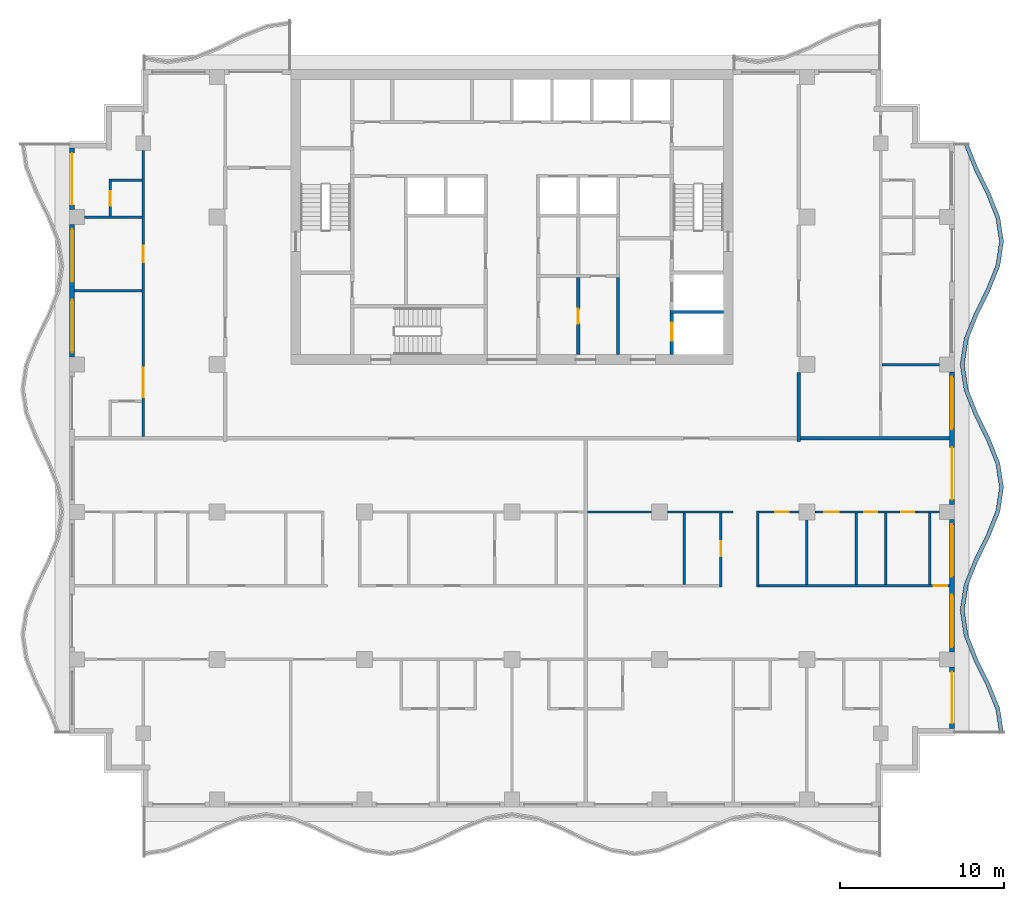
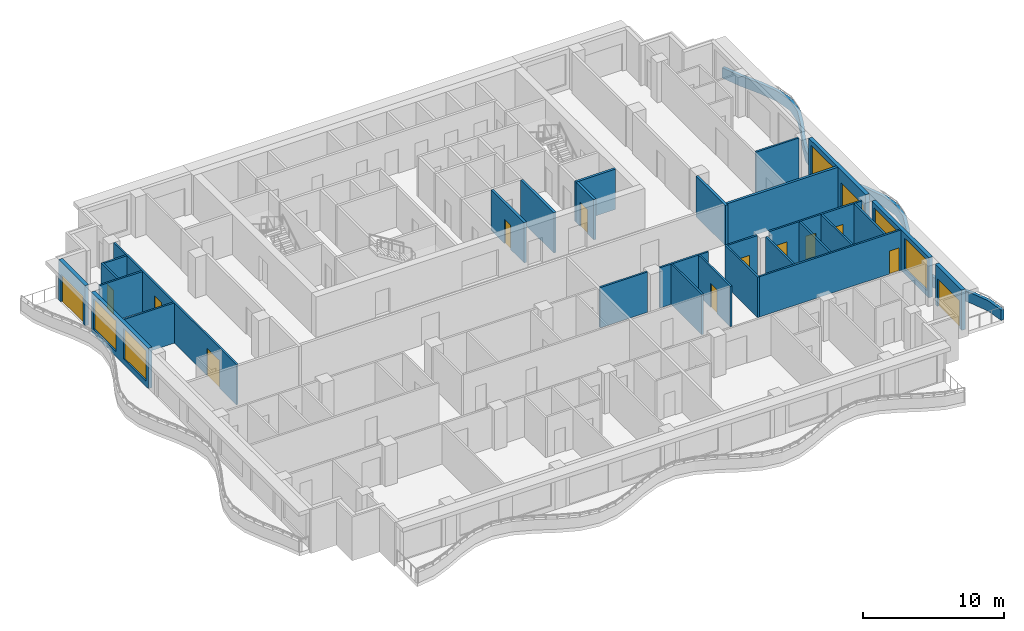
# One storey, part 4 of 11: 30 walls, 14 doors, 5 windows, 19 openings.
"""IFC4 building model written with IfcOpenShell, lengths in metres."""

from ifc_helpers import new_model, si_unit, direction, frame, frame_2d, origin, place, context, subcontext, project, spatial, polyline, rectangle, outline, extrude, material, layer, layer_set, type_object, element, fill, save


model = new_model("IFC4")

# Units and contexts
model_context = context("Model", 3, precision=1e-05, world=origin(), true_north=direction((0.0, 1.0)))
body_context = subcontext(model_context, "Body", "Model", "MODEL_VIEW")
ifc_project = project(units=[si_unit("LENGTHUNIT", "METRE"), si_unit("AREAUNIT", "SQUARE_METRE"), si_unit("VOLUMEUNIT", "CUBIC_METRE"), si_unit("PLANEANGLEUNIT", "RADIAN"), si_unit("MASSUNIT", "GRAM", prefix="KILO")], contexts=[model_context])

# Site, building, storey
site_placement = place(None, origin())
site = spatial("IfcSite", under=ifc_project, at=site_placement, CompositionType="ELEMENT")
building_placement = place(site_placement, origin())
building = spatial("IfcBuilding", under=site, at=building_placement, Name="Orbiselva Terraces", CompositionType="ELEMENT")
storey_placement = place(building_placement, frame((0.0, 0.0, 250.2)))
storey = spatial("IfcBuildingStorey", under=building, at=storey_placement, Name="L63", CompositionType="ELEMENT", Elevation=250.2)

# Wall, opening, door
ifc_material_1 = material(Name="Masonry blockwork", Category="masonry")
ifc_layer_1 = layer(ifc_material_1, 0.2)
ifc_layer_set_1 = layer_set([ifc_layer_1], Name="Masonry blockwork")
wall_type_1 = type_object("IfcWallType", Name="CORE-WALL-PARTITION-200", PredefinedType="PARTITIONING", material=ifc_layer_set_1)
wall_1_placement = place(storey_placement, frame((4.0375, 9.8, 0.0), z_axis=(0.0, 0.0, 1.0), x_axis=(0.0, -1.0, 0.0)))
wall_1 = element("IfcWall", 1, at=wall_1_placement, inside=storey, type_object=wall_type_1, Name="L63 core wall 29", PredefinedType="PARTITIONING", context=body_context, shape_type="SweptSolid", body=[
    extrude(rectangle(XDim=4.7, YDim=0.2, at=frame_2d((2.35, 0.0))), origin(), (0.0, 0.0, 1.0), 3.5),
])
opening_1_placement = place(wall_1_placement, frame((1.9, 0.0, 0.0)))
opening_1 = element("IfcOpeningElement", 2, at=opening_1_placement, cuts=wall_1, Name="Opening DR900", PredefinedType="OPENING", context=body_context, shape_type="SweptSolid", body=[
    extrude(rectangle(XDim=0.9, YDim=2.1, at=frame_2d((0.45, 1.05))), frame((0.0, 0.11, 0.0), z_axis=(0.0, -1.0, 0.0), x_axis=(1.0, 0.0, 0.0)), (0.0, 0.0, 1.0), 0.22),
])
ifc_material_2 = material(Name="Steel fire door", Category="steel")
door_type_1 = type_object("IfcDoorType", Name="ROOM DOOR 900", OperationType="NOTDEFINED", PredefinedType="DOOR", material=ifc_material_2)
door_1_placement = place(opening_1_placement, origin())
door_1 = element("IfcDoor", 3, at=door_1_placement, inside=storey, type_object=door_type_1, Name="L63 SPARE PARTS STORE door", OperationType="SINGLE_SWING_LEFT", OverallHeight=2.1, OverallWidth=0.9, PredefinedType="DOOR", context=body_context, shape_type="SweptSolid", body=[
    extrude(rectangle(XDim=0.9, YDim=2.1, at=frame_2d((0.45, 1.05))), frame((0.0, 0.025, 0.0), z_axis=(0.0, -1.0, 0.0), x_axis=(1.0, 0.0, 0.0)), (0.0, 0.0, 1.0), 0.05),
])
fill(opening_1, door_1)

# Wall
ifc_material_3 = material(Name="Concrete C60/75", Category="concrete")
ifc_layer_2 = layer(ifc_material_3, 0.2)
ifc_layer_set_2 = layer_set([ifc_layer_2], Name="Concrete C60/75")
wall_type_2 = type_object("IfcWallType", Name="CORE-WALL-SHEAR-200", PredefinedType="SHEAR", material=ifc_layer_set_2)
wall_2_placement = place(storey_placement, frame((6.475, 5.1, 0.0), z_axis=(0.0, 0.0, 1.0), x_axis=(0.0, 1.0, 0.0)))
element("IfcWall", 4, at=wall_2_placement, inside=storey, type_object=wall_type_2, Name="L63 core wall 33", PredefinedType="SHEAR", context=body_context, shape_type="SweptSolid", body=[
    extrude(rectangle(XDim=4.7, YDim=0.2, at=frame_2d((2.35, 0.0))), origin(), (0.0, 0.0, 1.0), 3.5),
])

# Wall, opening, door
wall_3_placement = place(storey_placement, frame((9.75, 5.1, 0.0), z_axis=(0.0, 0.0, 1.0), x_axis=(0.0, 1.0, 0.0)))
wall_3 = element("IfcWall", 5, at=wall_3_placement, inside=storey, type_object=wall_type_2, Name="L63 core wall 39", PredefinedType="SHEAR", context=body_context, shape_type="SweptSolid", body=[
    extrude(rectangle(XDim=2.5, YDim=0.2, at=frame_2d((1.25, 0.0))), origin(), (0.0, 0.0, 1.0), 3.5),
])
opening_2_placement = place(wall_3_placement, frame((0.85, 0.0, 0.0)))
opening_2 = element("IfcOpeningElement", 6, at=opening_2_placement, cuts=wall_3, Name="Opening LD-FF1", PredefinedType="OPENING", context=body_context, shape_type="SweptSolid", body=[
    extrude(rectangle(XDim=1.1, YDim=2.1, at=frame_2d((0.55, 1.05))), frame((0.0, 0.11, 0.0), z_axis=(0.0, -1.0, 0.0), x_axis=(1.0, 0.0, 0.0)), (0.0, 0.0, 1.0), 0.22),
])
ifc_material_4 = material(Name="Stainless steel landing door", Category="steel")
door_type_2 = type_object("IfcDoorType", Name="LANDING DOOR 1100", OperationType="SLIDING_TO_LEFT", PredefinedType="DOOR", material=ifc_material_4)
door_2_placement = place(opening_2_placement, origin())
door_2 = element("IfcDoor", 7, at=door_2_placement, inside=storey, type_object=door_type_2, Name="L63 landing door FF1", OperationType="SLIDING_TO_RIGHT", OverallHeight=2.1, OverallWidth=1.1, PredefinedType="DOOR", context=body_context, shape_type="SweptSolid", body=[
    extrude(rectangle(XDim=1.1, YDim=2.1, at=frame_2d((0.55, 1.05))), frame((0.0, 0.025, 0.0), z_axis=(0.0, -1.0, 0.0), x_axis=(1.0, 0.0, 0.0)), (0.0, 0.0, 1.0), 0.05),
])
fill(opening_2, door_2)

# Walls
wall_4_placement = place(storey_placement, frame((9.65, 7.7, 0.0), z_axis=(0.0, 0.0, 1.0), x_axis=(1.0, 0.0, 0.0)))
element("IfcWall", 8, at=wall_4_placement, inside=storey, type_object=wall_type_2, Name="L63 core wall 40", PredefinedType="SHEAR", context=body_context, shape_type="SweptSolid", body=[
    extrude(rectangle(XDim=3.25, YDim=0.2, at=frame_2d((1.625, 0.0))), origin(), (0.0, 0.0, 1.0), 3.5),
])
ifc_material_5 = material(Name="Concrete C40/50", Category="concrete")
ifc_layer_3 = layer(ifc_material_5, 0.25)
ifc_layer_set_3 = layer_set([ifc_layer_3], Name="Concrete C40/50")
wall_type_3 = type_object("IfcWallType", Name="ENV-PLANTER-250x900", PredefinedType="USERDEFINED", material=ifc_layer_set_3)
wall_5_placement = place(storey_placement, origin())
element("IfcWall", 9, at=wall_5_placement, inside=storey, type_object=wall_type_3, Name="Balcony planter L63 E", ObjectType="PLANTER", PredefinedType="USERDEFINED", context=body_context, shape_type="SweptSolid", body=[
    extrude(outline(polyline([(30.0, -18.0), (29.77082, -16.5), (29.17082, -15.0), (28.42918, -13.5), (27.82918, -12.0), (27.6, -10.5), (27.82918, -9.0), (28.42918, -7.5), (29.17082, -6.0), (29.77082, -4.5), (30.0, -3.0), (29.77082, -1.5), (29.17082, 0.0), (28.42918, 1.5), (27.82918, 3.0), (27.6, 4.5), (27.82918, 6.0), (28.42918, 7.5), (29.17082, 9.0), (29.77082, 10.5), (30.0, 12.0), (29.77082, 13.5), (29.17082, 15.0), (28.42918, 16.5), (27.82918, 18.0), (27.597061, 17.907152), (28.200715, 16.398017), (28.942355, 14.898017), (29.528028, 13.433834), (29.747099, 12.0), (29.528028, 10.566166), (28.942355, 9.101983), (28.200715, 7.601983), (27.586388, 6.066166), (27.347099, 4.5), (27.586388, 2.933834), (28.200715, 1.398017), (28.942355, -0.101983), (29.528028, -1.566166), (29.747099, -3.0), (29.528028, -4.433834), (28.942355, -5.898017), (28.200715, -7.398017), (27.586388, -8.933834), (27.347099, -10.5), (27.586388, -12.066166), (28.200715, -13.601983), (28.942355, -15.101983), (29.528028, -16.566166), (29.752868, -18.037758), (30.0, -18.0)])), origin(), (0.0, 0.0, 1.0), 0.9),
])

# Wall, opening, door
ifc_material_6 = material(Name="Terracotta cladding on masonry backing", Category="masonry")
ifc_layer_4 = layer(ifc_material_6, 0.3)
ifc_layer_set_4 = layer_set([ifc_layer_4], Name="Terracotta cladding on masonry backing")
wall_type_4 = type_object("IfcWallType", Name="ENV-WALL-TERRACOTTA-300", PredefinedType="SOLIDWALL", material=ifc_layer_set_4)
wall_6_placement = place(storey_placement, frame((26.85, -13.95, 0.0), z_axis=(0.0, 0.0, 1.0), x_axis=(0.0, -1.0, 0.0)))
wall_6 = element("IfcWall", 10, at=wall_6_placement, inside=storey, type_object=wall_type_4, Name="Facade wall L63 E", PredefinedType="SOLIDWALL", context=body_context, shape_type="SweptSolid", body=[
    extrude(rectangle(XDim=3.75, YDim=0.3, at=frame_2d((1.875, 0.0))), origin(), (0.0, 0.0, 1.0), 3.5),
])
opening_3_placement = place(wall_6_placement, frame((0.3, 0.0, 0.0)))
opening_3 = element("IfcOpeningElement", 11, at=opening_3_placement, cuts=wall_6, Name="Opening Z5-B-E05", PredefinedType="OPENING", context=body_context, shape_type="SweptSolid", body=[
    extrude(rectangle(XDim=3.15, YDim=2.4, at=frame_2d((1.575, 1.2))), frame((0.0, 0.16, 0.0), z_axis=(0.0, -1.0, 0.0), x_axis=(1.0, 0.0, 0.0)), (0.0, 0.0, 1.0), 0.32),
])
ifc_material_7 = material(Name="Clear low-e glazing in aluminium frame", Category="aluminium")
door_type_3 = type_object("IfcDoorType", Name="BALCONY DOOR 3150 X 2400", OperationType="DOUBLE_DOOR_SLIDING", PredefinedType="DOOR", material=ifc_material_7)
door_3_placement = place(opening_3_placement, origin())
door_3 = element("IfcDoor", 12, at=door_3_placement, inside=storey, type_object=door_type_3, Name="Z5-B-E05", OperationType="SINGLE_SWING_LEFT", OverallHeight=2.4, OverallWidth=3.15, PredefinedType="DOOR", context=body_context, shape_type="SweptSolid", body=[
    extrude(rectangle(XDim=3.15, YDim=2.4, at=frame_2d((1.575, 1.2))), frame((0.0, 0.025, 0.0), z_axis=(0.0, -1.0, 0.0), x_axis=(1.0, 0.0, 0.0)), (0.0, 0.0, 1.0), 0.05),
])
fill(opening_3, door_3)

# Wall, openings, windows
wall_7_placement = place(storey_placement, frame((26.85, -4.95, 0.0), z_axis=(0.0, 0.0, 1.0), x_axis=(0.0, -1.0, 0.0)))
wall_7 = element("IfcWall", 13, at=wall_7_placement, inside=storey, type_object=wall_type_4, Name="Facade wall L63 E", PredefinedType="SOLIDWALL", context=body_context, shape_type="SweptSolid", body=[
    extrude(rectangle(XDim=8.1, YDim=0.3, at=frame_2d((4.05, 0.0))), origin(), (0.0, 0.0, 1.0), 3.5),
])
opening_4_placement = place(wall_7_placement, frame((4.6, 0.0, 0.45)))
opening_4 = element("IfcOpeningElement", 14, at=opening_4_placement, cuts=wall_7, Name="Opening WN17", PredefinedType="OPENING", context=body_context, shape_type="SweptSolid", body=[
    extrude(rectangle(XDim=3.2, YDim=2.65, at=frame_2d((1.6, 1.325))), frame((0.0, 0.16, 0.0), z_axis=(0.0, -1.0, 0.0), x_axis=(1.0, 0.0, 0.0)), (0.0, 0.0, 1.0), 0.32),
])
opening_5_placement = place(wall_7_placement, frame((0.3, 0.0, 0.45)))
opening_5 = element("IfcOpeningElement", 15, at=opening_5_placement, cuts=wall_7, Name="Opening WN17", PredefinedType="OPENING", context=body_context, shape_type="SweptSolid", body=[
    extrude(rectangle(XDim=3.2, YDim=2.65, at=frame_2d((1.6, 1.325))), frame((0.0, 0.16, 0.0), z_axis=(0.0, -1.0, 0.0), x_axis=(1.0, 0.0, 0.0)), (0.0, 0.0, 1.0), 0.32),
])
window_type = type_object("IfcWindowType", Name="WINDOW 3200 X 2650 S450", PartitioningType="TRIPLE_PANEL_VERTICAL", PredefinedType="WINDOW", material=ifc_material_7)
window_1_placement = place(opening_4_placement, origin())
window_1 = element("IfcWindow", 16, at=window_1_placement, inside=storey, type_object=window_type, Name="Window L63 E", OverallHeight=2.65, OverallWidth=3.2, PartitioningType="SINGLE_PANEL", PredefinedType="WINDOW", context=body_context, shape_type="SweptSolid", body=[
    extrude(rectangle(XDim=3.2, YDim=2.65, at=frame_2d((1.6, 1.325))), frame((0.0, 0.03, 0.0), z_axis=(0.0, -1.0, 0.0), x_axis=(1.0, 0.0, 0.0)), (0.0, 0.0, 1.0), 0.06),
])
fill(opening_4, window_1)
window_2_placement = place(opening_5_placement, origin())
window_2 = element("IfcWindow", 17, at=window_2_placement, inside=storey, type_object=window_type, Name="Window L63 E", OverallHeight=2.65, OverallWidth=3.2, PartitioningType="SINGLE_PANEL", PredefinedType="WINDOW", context=body_context, shape_type="SweptSolid", body=[
    extrude(rectangle(XDim=3.2, YDim=2.65, at=frame_2d((1.6, 1.325))), frame((0.0, 0.03, 0.0), z_axis=(0.0, -1.0, 0.0), x_axis=(1.0, 0.0, 0.0)), (0.0, 0.0, 1.0), 0.06),
])
fill(opening_5, window_2)

# Wall, openings, door, window
wall_8_placement = place(storey_placement, frame((26.85, 4.05, 0.0), z_axis=(0.0, 0.0, 1.0), x_axis=(0.0, -1.0, 0.0)))
wall_8 = element("IfcWall", 18, at=wall_8_placement, inside=storey, type_object=wall_type_4, Name="Facade wall L63 E", PredefinedType="SOLIDWALL", context=body_context, shape_type="SweptSolid", body=[
    extrude(rectangle(XDim=8.1, YDim=0.3, at=frame_2d((4.05, 0.0))), origin(), (0.0, 0.0, 1.0), 3.5),
])
opening_6_placement = place(wall_8_placement, frame((4.6, 0.0, 0.0)))
opening_6 = element("IfcOpeningElement", 19, at=opening_6_placement, cuts=wall_8, Name="Opening Z5-B-E06", PredefinedType="OPENING", context=body_context, shape_type="SweptSolid", body=[
    extrude(rectangle(XDim=3.2, YDim=2.4, at=frame_2d((1.6, 1.2))), frame((0.0, 0.16, 0.0), z_axis=(0.0, -1.0, 0.0), x_axis=(1.0, 0.0, 0.0)), (0.0, 0.0, 1.0), 0.32),
])
opening_7_placement = place(wall_8_placement, frame((0.3, 0.0, 0.45)))
opening_7 = element("IfcOpeningElement", 20, at=opening_7_placement, cuts=wall_8, Name="Opening WN17", PredefinedType="OPENING", context=body_context, shape_type="SweptSolid", body=[
    extrude(rectangle(XDim=3.2, YDim=2.65, at=frame_2d((1.6, 1.325))), frame((0.0, 0.16, 0.0), z_axis=(0.0, -1.0, 0.0), x_axis=(1.0, 0.0, 0.0)), (0.0, 0.0, 1.0), 0.32),
])
door_type_4 = type_object("IfcDoorType", Name="BALCONY DOOR 3200 X 2400", OperationType="DOUBLE_DOOR_SLIDING", PredefinedType="DOOR", material=ifc_material_7)
door_4_placement = place(opening_6_placement, origin())
door_4 = element("IfcDoor", 21, at=door_4_placement, inside=storey, type_object=door_type_4, Name="Z5-B-E06", OperationType="SINGLE_SWING_LEFT", OverallHeight=2.4, OverallWidth=3.2, PredefinedType="DOOR", context=body_context, shape_type="SweptSolid", body=[
    extrude(rectangle(XDim=3.2, YDim=2.4, at=frame_2d((1.6, 1.2))), frame((0.0, 0.025, 0.0), z_axis=(0.0, -1.0, 0.0), x_axis=(1.0, 0.0, 0.0)), (0.0, 0.0, 1.0), 0.05),
])
fill(opening_6, door_4)
window_3_placement = place(opening_7_placement, origin())
window_3 = element("IfcWindow", 22, at=window_3_placement, inside=storey, type_object=window_type, Name="Window L63 E", OverallHeight=2.65, OverallWidth=3.2, PartitioningType="SINGLE_PANEL", PredefinedType="WINDOW", context=body_context, shape_type="SweptSolid", body=[
    extrude(rectangle(XDim=3.2, YDim=2.65, at=frame_2d((1.6, 1.325))), frame((0.0, 0.03, 0.0), z_axis=(0.0, -1.0, 0.0), x_axis=(1.0, 0.0, 0.0)), (0.0, 0.0, 1.0), 0.06),
])
fill(opening_7, window_3)

# Wall, opening, door
wall_9_placement = place(storey_placement, frame((-26.85, 13.95, 0.0), z_axis=(0.0, 0.0, 1.0), x_axis=(0.0, 1.0, 0.0)))
wall_9 = element("IfcWall", 23, at=wall_9_placement, inside=storey, type_object=wall_type_4, Name="Facade wall L63 W", PredefinedType="SOLIDWALL", context=body_context, shape_type="SweptSolid", body=[
    extrude(rectangle(XDim=3.75, YDim=0.3, at=frame_2d((1.875, 0.0))), origin(), (0.0, 0.0, 1.0), 3.5),
])
opening_8_placement = place(wall_9_placement, frame((0.3, 0.0, 0.0)))
opening_8 = element("IfcOpeningElement", 24, at=opening_8_placement, cuts=wall_9, Name="Opening Z5-B-E10", PredefinedType="OPENING", context=body_context, shape_type="SweptSolid", body=[
    extrude(rectangle(XDim=3.15, YDim=2.4, at=frame_2d((1.575, 1.2))), frame((0.0, 0.16, 0.0), z_axis=(0.0, -1.0, 0.0), x_axis=(1.0, 0.0, 0.0)), (0.0, 0.0, 1.0), 0.32),
])
door_5_placement = place(opening_8_placement, origin())
door_5 = element("IfcDoor", 25, at=door_5_placement, inside=storey, type_object=door_type_3, Name="Z5-B-E10", OperationType="SINGLE_SWING_LEFT", OverallHeight=2.4, OverallWidth=3.15, PredefinedType="DOOR", context=body_context, shape_type="SweptSolid", body=[
    extrude(rectangle(XDim=3.15, YDim=2.4, at=frame_2d((1.575, 1.2))), frame((0.0, 0.025, 0.0), z_axis=(0.0, -1.0, 0.0), x_axis=(1.0, 0.0, 0.0)), (0.0, 0.0, 1.0), 0.05),
])
fill(opening_8, door_5)

# Wall, openings, windows
wall_10_placement = place(storey_placement, frame((-26.85, 4.95, 0.0), z_axis=(0.0, 0.0, 1.0), x_axis=(0.0, 1.0, 0.0)))
wall_10 = element("IfcWall", 26, at=wall_10_placement, inside=storey, type_object=wall_type_4, Name="Facade wall L63 W", PredefinedType="SOLIDWALL", context=body_context, shape_type="SweptSolid", body=[
    extrude(rectangle(XDim=8.1, YDim=0.3, at=frame_2d((4.05, 0.0))), origin(), (0.0, 0.0, 1.0), 3.5),
])
opening_9_placement = place(wall_10_placement, frame((4.6, 0.0, 0.45)))
opening_9 = element("IfcOpeningElement", 27, at=opening_9_placement, cuts=wall_10, Name="Opening WN17", PredefinedType="OPENING", context=body_context, shape_type="SweptSolid", body=[
    extrude(rectangle(XDim=3.2, YDim=2.65, at=frame_2d((1.6, 1.325))), frame((0.0, 0.16, 0.0), z_axis=(0.0, -1.0, 0.0), x_axis=(1.0, 0.0, 0.0)), (0.0, 0.0, 1.0), 0.32),
])
opening_10_placement = place(wall_10_placement, frame((0.3, 0.0, 0.45)))
opening_10 = element("IfcOpeningElement", 28, at=opening_10_placement, cuts=wall_10, Name="Opening WN17", PredefinedType="OPENING", context=body_context, shape_type="SweptSolid", body=[
    extrude(rectangle(XDim=3.2, YDim=2.65, at=frame_2d((1.6, 1.325))), frame((0.0, 0.16, 0.0), z_axis=(0.0, -1.0, 0.0), x_axis=(1.0, 0.0, 0.0)), (0.0, 0.0, 1.0), 0.32),
])
window_4_placement = place(opening_9_placement, origin())
window_4 = element("IfcWindow", 29, at=window_4_placement, inside=storey, type_object=window_type, Name="Window L63 W", OverallHeight=2.65, OverallWidth=3.2, PartitioningType="SINGLE_PANEL", PredefinedType="WINDOW", context=body_context, shape_type="SweptSolid", body=[
    extrude(rectangle(XDim=3.2, YDim=2.65, at=frame_2d((1.6, 1.325))), frame((0.0, 0.03, 0.0), z_axis=(0.0, -1.0, 0.0), x_axis=(1.0, 0.0, 0.0)), (0.0, 0.0, 1.0), 0.06),
])
fill(opening_9, window_4)
window_5_placement = place(opening_10_placement, origin())
window_5 = element("IfcWindow", 30, at=window_5_placement, inside=storey, type_object=window_type, Name="Window L63 W", OverallHeight=2.65, OverallWidth=3.2, PartitioningType="SINGLE_PANEL", PredefinedType="WINDOW", context=body_context, shape_type="SweptSolid", body=[
    extrude(rectangle(XDim=3.2, YDim=2.65, at=frame_2d((1.6, 1.325))), frame((0.0, 0.03, 0.0), z_axis=(0.0, -1.0, 0.0), x_axis=(1.0, 0.0, 0.0)), (0.0, 0.0, 1.0), 0.06),
])
fill(opening_10, window_5)

# Wall
ifc_material_8 = material(Name="Plasterboard on steel stud partition", Category="steel")
ifc_layer_5 = layer(ifc_material_8, 0.2)
ifc_layer_set_5 = layer_set([ifc_layer_5], Name="Plasterboard on steel stud partition")
wall_type_5 = type_object("IfcWallType", Name="UNIT-ENTRANCE-WALL-200", PredefinedType="PARTITIONING", material=ifc_layer_set_5)
wall_11_placement = place(storey_placement, frame((17.5, -0.2, 0.0), z_axis=(0.0, 0.0, 1.0), x_axis=(0.0, 1.0, 0.0)))
element("IfcWall", 31, at=wall_11_placement, inside=storey, type_object=wall_type_5, Name="PARTITION L63-071", PredefinedType="PARTITIONING", context=body_context, shape_type="SweptSolid", body=[
    extrude(rectangle(XDim=4.2, YDim=0.2, at=frame_2d((2.1, 0.0))), origin(), (0.0, 0.0, 1.0), 3.5),
])

# Wall, opening, door
ifc_layer_6 = layer(ifc_material_8, 0.15)
ifc_layer_set_6 = layer_set([ifc_layer_6], Name="Plasterboard on steel stud partition")
wall_type_6 = type_object("IfcWallType", Name="UNIT-PARTITION-150", PredefinedType="PARTITIONING", material=ifc_layer_set_6)
wall_12_placement = place(storey_placement, frame((15.075, -9.0, 0.0), z_axis=(0.0, 0.0, 1.0), x_axis=(1.0, 0.0, 0.0)))
wall_12 = element("IfcWall", 32, at=wall_12_placement, inside=storey, type_object=wall_type_6, Name="PARTITION L63-017", PredefinedType="PARTITIONING", context=body_context, shape_type="SweptSolid", body=[
    extrude(rectangle(XDim=11.625, YDim=0.15, at=frame_2d((5.8125, 0.0))), origin(), (0.0, 0.0, 1.0), 3.5),
])
opening_11_placement = place(wall_12_placement, frame((10.675, 0.0, 0.0)))
opening_11 = element("IfcOpeningElement", 33, at=opening_11_placement, cuts=wall_12, Name="Opening Z5-B-39", PredefinedType="OPENING", context=body_context, shape_type="SweptSolid", body=[
    extrude(rectangle(XDim=0.8, YDim=2.0, at=frame_2d((0.4, 1.0))), frame((0.0, 0.085, 0.0), z_axis=(0.0, -1.0, 0.0), x_axis=(1.0, 0.0, 0.0)), (0.0, 0.0, 1.0), 0.17),
])
ifc_material_9 = material(Name="Painted timber door leaf", Category="wood")
door_type_5 = type_object("IfcDoorType", Name="STORE DOOR 800", OperationType="NOTDEFINED", PredefinedType="DOOR", material=ifc_material_9)
door_6_placement = place(opening_11_placement, origin())
door_6 = element("IfcDoor", 34, at=door_6_placement, inside=storey, type_object=door_type_5, Name="Z5-B-39", OperationType="SINGLE_SWING_RIGHT", OverallHeight=2.0, OverallWidth=0.8, PredefinedType="DOOR", context=body_context, shape_type="SweptSolid", body=[
    extrude(rectangle(XDim=0.8, YDim=2.0, at=frame_2d((0.4, 1.0))), frame((0.0, 0.025, 0.0), z_axis=(0.0, -1.0, 0.0), x_axis=(1.0, 0.0, 0.0)), (0.0, 0.0, 1.0), 0.05),
])
fill(opening_11, door_6)

# Walls
wall_13_placement = place(storey_placement, frame((4.6, -4.5, 0.0), z_axis=(0.0, 0.0, 1.0), x_axis=(1.0, 0.0, 0.0)))
element("IfcWall", 35, at=wall_13_placement, inside=storey, type_object=wall_type_6, Name="PARTITION L63-022", PredefinedType="PARTITIONING", context=body_context, shape_type="SweptSolid", body=[
    extrude(rectangle(XDim=3.9, YDim=0.15, at=frame_2d((1.95, 0.0))), origin(), (0.0, 0.0, 1.0), 3.5),
])
wall_14_placement = place(storey_placement, frame((9.5, -4.5, 0.0), z_axis=(0.0, 0.0, 1.0), x_axis=(1.0, 0.0, 0.0)))
element("IfcWall", 36, at=wall_14_placement, inside=storey, type_object=wall_type_6, Name="PARTITION L63-023", PredefinedType="PARTITIONING", context=body_context, shape_type="SweptSolid", body=[
    extrude(rectangle(XDim=4.0, YDim=0.15, at=frame_2d((2.0, 0.0))), origin(), (0.0, 0.0, 1.0), 3.5),
])

# Wall, opening, door
wall_15_placement = place(storey_placement, frame((17.5, -4.5, 0.0), z_axis=(0.0, 0.0, 1.0), x_axis=(-1.0, 0.0, 0.0)))
wall_15 = element("IfcWall", 37, at=wall_15_placement, inside=storey, type_object=wall_type_6, Name="PARTITION L63-024", PredefinedType="PARTITIONING", context=body_context, shape_type="SweptSolid", body=[
    extrude(rectangle(XDim=2.425, YDim=0.15, at=frame_2d((1.2125, 0.0))), origin(), (0.0, 0.0, 1.0), 3.5),
])
opening_12_placement = place(wall_15_placement, frame((0.625, 0.0, 0.0)))
opening_12 = element("IfcOpeningElement", 38, at=opening_12_placement, cuts=wall_15, Name="Opening Z5-B-35", PredefinedType="OPENING", context=body_context, shape_type="SweptSolid", body=[
    extrude(rectangle(XDim=0.8, YDim=2.0, at=frame_2d((0.4, 1.0))), frame((0.0, 0.085, 0.0), z_axis=(0.0, -1.0, 0.0), x_axis=(1.0, 0.0, 0.0)), (0.0, 0.0, 1.0), 0.17),
])
door_7_placement = place(opening_12_placement, origin())
door_7 = element("IfcDoor", 39, at=door_7_placement, inside=storey, type_object=door_type_5, Name="Z5-B-35", OperationType="SINGLE_SWING_LEFT", OverallHeight=2.0, OverallWidth=0.8, PredefinedType="DOOR", context=body_context, shape_type="SweptSolid", body=[
    extrude(rectangle(XDim=0.8, YDim=2.0, at=frame_2d((0.4, 1.0))), frame((0.0, 0.025, 0.0), z_axis=(0.0, -1.0, 0.0), x_axis=(1.0, 0.0, 0.0)), (0.0, 0.0, 1.0), 0.05),
])
fill(opening_12, door_7)

# Wall, openings, doors
wall_16_placement = place(storey_placement, frame((26.1, -4.5, 0.0), z_axis=(0.0, 0.0, 1.0), x_axis=(-1.0, 0.0, 0.0)))
wall_16 = element("IfcWall", 40, at=wall_16_placement, inside=storey, type_object=wall_type_6, Name="PARTITION L63-025", PredefinedType="PARTITIONING", context=body_context, shape_type="SweptSolid", body=[
    extrude(rectangle(XDim=7.6, YDim=0.15, at=frame_2d((3.8, 0.0))), origin(), (0.0, 0.0, 1.0), 3.5),
])
opening_13_placement = place(wall_16_placement, frame((6.15, 0.0, 0.0)))
opening_13 = element("IfcOpeningElement", 41, at=opening_13_placement, cuts=wall_16, Name="Opening Z5-B-36", PredefinedType="OPENING", context=body_context, shape_type="SweptSolid", body=[
    extrude(rectangle(XDim=0.9, YDim=2.1, at=frame_2d((0.45, 1.05))), frame((0.0, 0.085, 0.0), z_axis=(0.0, -1.0, 0.0), x_axis=(1.0, 0.0, 0.0)), (0.0, 0.0, 1.0), 0.17),
])
opening_14_placement = place(wall_16_placement, frame((3.8, 0.0, 0.0)))
opening_14 = element("IfcOpeningElement", 42, at=opening_14_placement, cuts=wall_16, Name="Opening Z5-B-37", PredefinedType="OPENING", context=body_context, shape_type="SweptSolid", body=[
    extrude(rectangle(XDim=0.8, YDim=2.0, at=frame_2d((0.4, 1.0))), frame((0.0, 0.085, 0.0), z_axis=(0.0, -1.0, 0.0), x_axis=(1.0, 0.0, 0.0)), (0.0, 0.0, 1.0), 0.17),
])
opening_15_placement = place(wall_16_placement, frame((1.55, 0.0, 0.0)))
opening_15 = element("IfcOpeningElement", 43, at=opening_15_placement, cuts=wall_16, Name="Opening Z5-B-38", PredefinedType="OPENING", context=body_context, shape_type="SweptSolid", body=[
    extrude(rectangle(XDim=0.8, YDim=2.0, at=frame_2d((0.4, 1.0))), frame((0.0, 0.085, 0.0), z_axis=(0.0, -1.0, 0.0), x_axis=(1.0, 0.0, 0.0)), (0.0, 0.0, 1.0), 0.17),
])
door_type_6 = type_object("IfcDoorType", Name="SERVICE DOOR 900", OperationType="NOTDEFINED", PredefinedType="DOOR", material=ifc_material_9)
door_8_placement = place(opening_13_placement, origin())
door_8 = element("IfcDoor", 44, at=door_8_placement, inside=storey, type_object=door_type_6, Name="Z5-B-36", OperationType="SINGLE_SWING_RIGHT", OverallHeight=2.1, OverallWidth=0.9, PredefinedType="DOOR", context=body_context, shape_type="SweptSolid", body=[
    extrude(rectangle(XDim=0.9, YDim=2.1, at=frame_2d((0.45, 1.05))), frame((0.0, 0.025, 0.0), z_axis=(0.0, -1.0, 0.0), x_axis=(1.0, 0.0, 0.0)), (0.0, 0.0, 1.0), 0.05),
])
fill(opening_13, door_8)
door_9_placement = place(opening_14_placement, origin())
door_9 = element("IfcDoor", 45, at=door_9_placement, inside=storey, type_object=door_type_5, Name="Z5-B-37", OperationType="SINGLE_SWING_RIGHT", OverallHeight=2.0, OverallWidth=0.8, PredefinedType="DOOR", context=body_context, shape_type="SweptSolid", body=[
    extrude(rectangle(XDim=0.8, YDim=2.0, at=frame_2d((0.4, 1.0))), frame((0.0, 0.025, 0.0), z_axis=(0.0, -1.0, 0.0), x_axis=(1.0, 0.0, 0.0)), (0.0, 0.0, 1.0), 0.05),
])
fill(opening_14, door_9)
door_10_placement = place(opening_15_placement, origin())
door_10 = element("IfcDoor", 46, at=door_10_placement, inside=storey, type_object=door_type_5, Name="Z5-B-38", OperationType="SINGLE_SWING_LEFT", OverallHeight=2.0, OverallWidth=0.8, PredefinedType="DOOR", context=body_context, shape_type="SweptSolid", body=[
    extrude(rectangle(XDim=0.8, YDim=2.0, at=frame_2d((0.4, 1.0))), frame((0.0, 0.025, 0.0), z_axis=(0.0, -1.0, 0.0), x_axis=(1.0, 0.0, 0.0)), (0.0, 0.0, 1.0), 0.05),
])
fill(opening_15, door_10)

# Walls
wall_17_placement = place(storey_placement, frame((22.575, 4.5, 0.0), z_axis=(0.0, 0.0, 1.0), x_axis=(1.0, 0.0, 0.0)))
element("IfcWall", 47, at=wall_17_placement, inside=storey, type_object=wall_type_6, Name="PARTITION L63-030", PredefinedType="PARTITIONING", context=body_context, shape_type="SweptSolid", body=[
    extrude(rectangle(XDim=3.525, YDim=0.15, at=frame_2d((1.7625, 0.0))), origin(), (0.0, 0.0, 1.0), 3.5),
])
wall_18_placement = place(storey_placement, frame((-26.7, 9.0, 0.0), z_axis=(0.0, 0.0, 1.0), x_axis=(1.0, 0.0, 0.0)))
element("IfcWall", 48, at=wall_18_placement, inside=storey, type_object=wall_type_6, Name="PARTITION L63-031", PredefinedType="PARTITIONING", context=body_context, shape_type="SweptSolid", body=[
    extrude(rectangle(XDim=4.125, YDim=0.15, at=frame_2d((2.0625, 0.0))), origin(), (0.0, 0.0, 1.0), 3.5),
])
wall_19_placement = place(storey_placement, frame((-26.1, 13.5, 0.0), z_axis=(0.0, 0.0, 1.0), x_axis=(1.0, 0.0, 0.0)))
element("IfcWall", 49, at=wall_19_placement, inside=storey, type_object=wall_type_6, Name="PARTITION L63-033", PredefinedType="PARTITIONING", context=body_context, shape_type="SweptSolid", body=[
    extrude(rectangle(XDim=3.525, YDim=0.15, at=frame_2d((1.7625, 0.0))), origin(), (0.0, 0.0, 1.0), 3.5),
])
wall_20_placement = place(storey_placement, frame((-24.45, 15.75, 0.0), z_axis=(0.0, 0.0, 1.0), x_axis=(1.0, 0.0, 0.0)))
element("IfcWall", 50, at=wall_20_placement, inside=storey, type_object=wall_type_6, Name="PARTITION L63-036", PredefinedType="PARTITIONING", context=body_context, shape_type="SweptSolid", body=[
    extrude(rectangle(XDim=1.875, YDim=0.15, at=frame_2d((0.9375, 0.0))), origin(), (0.0, 0.0, 1.0), 3.5),
])

# Wall, opening, door
wall_21_placement = place(storey_placement, frame((-24.525, 15.825, 0.0), z_axis=(0.0, 0.0, 1.0), x_axis=(0.0, -1.0, 0.0)))
wall_21 = element("IfcWall", 51, at=wall_21_placement, inside=storey, type_object=wall_type_6, Name="PARTITION L63-040", PredefinedType="PARTITIONING", context=body_context, shape_type="SweptSolid", body=[
    extrude(rectangle(XDim=2.25, YDim=0.15, at=frame_2d((1.125, 0.0))), origin(), (0.0, 0.0, 1.0), 3.5),
])
opening_16_placement = place(wall_21_placement, frame((0.75, 0.0, 0.0)))
opening_16 = element("IfcOpeningElement", 52, at=opening_16_placement, cuts=wall_21, Name="Opening Z5-B-07", PredefinedType="OPENING", context=body_context, shape_type="SweptSolid", body=[
    extrude(rectangle(XDim=0.9, YDim=2.1, at=frame_2d((0.45, 1.05))), frame((0.0, 0.085, 0.0), z_axis=(0.0, -1.0, 0.0), x_axis=(1.0, 0.0, 0.0)), (0.0, 0.0, 1.0), 0.17),
])
door_type_7 = type_object("IfcDoorType", Name="BATH DOOR 900", OperationType="NOTDEFINED", PredefinedType="DOOR", material=ifc_material_9)
door_11_placement = place(opening_16_placement, origin())
door_11 = element("IfcDoor", 53, at=door_11_placement, inside=storey, type_object=door_type_7, Name="Z5-B-07", OperationType="SINGLE_SWING_RIGHT", OverallHeight=2.1, OverallWidth=0.9, PredefinedType="DOOR", context=body_context, shape_type="SweptSolid", body=[
    extrude(rectangle(XDim=0.9, YDim=2.1, at=frame_2d((0.45, 1.05))), frame((0.0, 0.025, 0.0), z_axis=(0.0, -1.0, 0.0), x_axis=(1.0, 0.0, 0.0)), (0.0, 0.0, 1.0), 0.05),
])
fill(opening_16, door_11)

# Wall, openings, doors
wall_22_placement = place(storey_placement, frame((-22.5, 0.1, 0.0), z_axis=(0.0, 0.0, 1.0), x_axis=(0.0, 1.0, 0.0)))
wall_22 = element("IfcWall", 54, at=wall_22_placement, inside=storey, type_object=wall_type_6, Name="PARTITION L63-044", PredefinedType="PARTITIONING", context=body_context, shape_type="SweptSolid", body=[
    extrude(rectangle(XDim=17.45, YDim=0.15, at=frame_2d((8.725, 0.0))), origin(), (0.0, 0.0, 1.0), 3.5),
])
opening_17_placement = place(wall_22_placement, frame((2.4, 0.0, 0.0)))
opening_17 = element("IfcOpeningElement", 55, at=opening_17_placement, cuts=wall_22, Name="Opening Z5-B-03", PredefinedType="OPENING", context=body_context, shape_type="SweptSolid", body=[
    extrude(rectangle(XDim=1.8, YDim=2.4, at=frame_2d((0.9, 1.2))), frame((0.0, 0.085, 0.0), z_axis=(0.0, -1.0, 0.0), x_axis=(1.0, 0.0, 0.0)), (0.0, 0.0, 1.0), 0.17),
])
opening_18_placement = place(wall_22_placement, frame((10.65, 0.0, 0.0)))
opening_18 = element("IfcOpeningElement", 56, at=opening_18_placement, cuts=wall_22, Name="Opening Z5-B-05", PredefinedType="OPENING", context=body_context, shape_type="SweptSolid", body=[
    extrude(rectangle(XDim=1.0, YDim=2.4, at=frame_2d((0.5, 1.2))), frame((0.0, 0.085, 0.0), z_axis=(0.0, -1.0, 0.0), x_axis=(1.0, 0.0, 0.0)), (0.0, 0.0, 1.0), 0.17),
])
door_type_8 = type_object("IfcDoorType", Name="DOUBLE DOOR 1800", OperationType="NOTDEFINED", PredefinedType="DOOR", material=ifc_material_9)
door_12_placement = place(opening_17_placement, origin())
door_12 = element("IfcDoor", 57, at=door_12_placement, inside=storey, type_object=door_type_8, Name="Z5-B-03", OperationType="DOUBLE_DOOR_SINGLE_SWING", OverallHeight=2.4, OverallWidth=1.8, PredefinedType="DOOR", context=body_context, shape_type="SweptSolid", body=[
    extrude(rectangle(XDim=1.8, YDim=2.4, at=frame_2d((0.9, 1.2))), frame((0.0, 0.025, 0.0), z_axis=(0.0, -1.0, 0.0), x_axis=(1.0, 0.0, 0.0)), (0.0, 0.0, 1.0), 0.05),
])
fill(opening_17, door_12)
door_type_9 = type_object("IfcDoorType", Name="ROOM DOOR 1000", OperationType="NOTDEFINED", PredefinedType="DOOR", material=ifc_material_9)
door_13_placement = place(opening_18_placement, origin())
door_13 = element("IfcDoor", 58, at=door_13_placement, inside=storey, type_object=door_type_9, Name="Z5-B-05", OperationType="SINGLE_SWING_RIGHT", OverallHeight=2.4, OverallWidth=1.0, PredefinedType="DOOR", context=body_context, shape_type="SweptSolid", body=[
    extrude(rectangle(XDim=1.0, YDim=2.4, at=frame_2d((0.5, 1.2))), frame((0.0, 0.025, 0.0), z_axis=(0.0, -1.0, 0.0), x_axis=(1.0, 0.0, 0.0)), (0.0, 0.0, 1.0), 0.05),
])
fill(opening_18, door_13)

# Wall
wall_23_placement = place(storey_placement, frame((10.5, -8.925, 0.0), z_axis=(0.0, 0.0, 1.0), x_axis=(0.0, 1.0, 0.0)))
element("IfcWall", 59, at=wall_23_placement, inside=storey, type_object=wall_type_6, Name="PARTITION L63-066", PredefinedType="PARTITIONING", context=body_context, shape_type="SweptSolid", body=[
    extrude(rectangle(XDim=4.35, YDim=0.15, at=frame_2d((2.175, 0.0))), origin(), (0.0, 0.0, 1.0), 3.5),
])

# Wall, opening, door
wall_24_placement = place(storey_placement, frame((12.75, -9.075, 0.0), z_axis=(0.0, 0.0, 1.0), x_axis=(0.0, 1.0, 0.0)))
wall_24 = element("IfcWall", 60, at=wall_24_placement, inside=storey, type_object=wall_type_6, Name="PARTITION L63-067", PredefinedType="PARTITIONING", context=body_context, shape_type="SweptSolid", body=[
    extrude(rectangle(XDim=4.5, YDim=0.15, at=frame_2d((2.25, 0.0))), origin(), (0.0, 0.0, 1.0), 3.5),
])
opening_19_placement = place(wall_24_placement, frame((1.875, 0.0, 0.0)))
opening_19 = element("IfcOpeningElement", 61, at=opening_19_placement, cuts=wall_24, Name="Opening Z5-B-34", PredefinedType="OPENING", context=body_context, shape_type="SweptSolid", body=[
    extrude(rectangle(XDim=0.9, YDim=2.1, at=frame_2d((0.45, 1.05))), frame((0.0, 0.085, 0.0), z_axis=(0.0, -1.0, 0.0), x_axis=(1.0, 0.0, 0.0)), (0.0, 0.0, 1.0), 0.17),
])
door_14_placement = place(opening_19_placement, origin())
door_14 = element("IfcDoor", 62, at=door_14_placement, inside=storey, type_object=door_type_7, Name="Z5-B-34", OperationType="SINGLE_SWING_RIGHT", OverallHeight=2.1, OverallWidth=0.9, PredefinedType="DOOR", context=body_context, shape_type="SweptSolid", body=[
    extrude(rectangle(XDim=0.9, YDim=2.1, at=frame_2d((0.45, 1.05))), frame((0.0, 0.025, 0.0), z_axis=(0.0, -1.0, 0.0), x_axis=(1.0, 0.0, 0.0)), (0.0, 0.0, 1.0), 0.05),
])
fill(opening_19, door_14)

# Walls
wall_25_placement = place(storey_placement, frame((15.0, -9.075, 0.0), z_axis=(0.0, 0.0, 1.0), x_axis=(0.0, 1.0, 0.0)))
element("IfcWall", 63, at=wall_25_placement, inside=storey, type_object=wall_type_6, Name="PARTITION L63-069", PredefinedType="PARTITIONING", context=body_context, shape_type="SweptSolid", body=[
    extrude(rectangle(XDim=4.65, YDim=0.15, at=frame_2d((2.325, 0.0))), origin(), (0.0, 0.0, 1.0), 3.5),
])
wall_26_placement = place(storey_placement, frame((18.0, -8.925, 0.0), z_axis=(0.0, 0.0, 1.0), x_axis=(0.0, 1.0, 0.0)))
element("IfcWall", 64, at=wall_26_placement, inside=storey, type_object=wall_type_6, Name="PARTITION L63-075", PredefinedType="PARTITIONING", context=body_context, shape_type="SweptSolid", body=[
    extrude(rectangle(XDim=3.925, YDim=0.15, at=frame_2d((1.9625, 0.0))), origin(), (0.0, 0.0, 1.0), 3.5),
])
for number, where, z_axis, x_axis, name in (
    (65, (21.0, -8.925, 0.0), (0.0, 0.0, 1.0), (0.0, 1.0, 0.0), "PARTITION L63-077"),
    (66, (22.8, -8.925, 0.0), (0.0, 0.0, 1.0), (0.0, 1.0, 0.0), "PARTITION L63-082"),
    (67, (25.5, -8.925, 0.0), (0.0, 0.0, 1.0), (0.0, 1.0, 0.0), "PARTITION L63-084"),
):
    element("IfcWall", number, at=place(storey_placement, frame(where, z_axis=z_axis, x_axis=x_axis)), inside=storey, type_object=wall_type_6, Name=name, PredefinedType="PARTITIONING", context=body_context, shape_type="SweptSolid", body=[
        extrude(rectangle(XDim=4.35, YDim=0.15, at=frame_2d((2.175, 0.0))), origin(), (0.0, 0.0, 1.0), 3.5),
    ])
ifc_layer_7 = layer(ifc_material_8, 0.2)
ifc_layer_set_7 = layer_set([ifc_layer_7], Name="Plasterboard on steel stud partition")
wall_type_7 = type_object("IfcWallType", Name="UNIT-PARTY-WALL-200", PredefinedType="PARTITIONING", material=ifc_layer_set_7)
wall_27_placement = place(storey_placement, frame((17.6, 0.0, 0.0), z_axis=(0.0, 0.0, 1.0), x_axis=(1.0, 0.0, 0.0)))
element("IfcWall", 68, at=wall_27_placement, inside=storey, type_object=wall_type_7, Name="PARTITION L63-028", PredefinedType="PARTITIONING", context=body_context, shape_type="SweptSolid", body=[
    extrude(rectangle(XDim=9.1, YDim=0.2, at=frame_2d((4.55, 0.0))), origin(), (0.0, 0.0, 1.0), 3.5),
])

save(model, "model.ifc")
